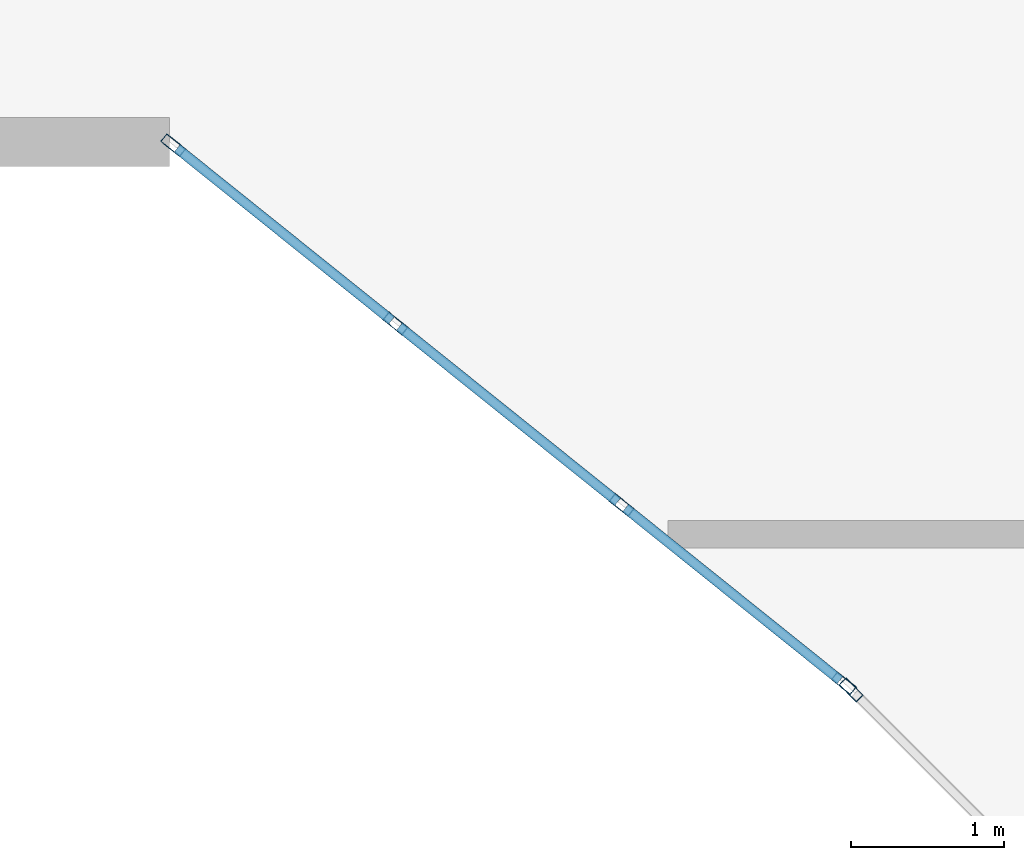
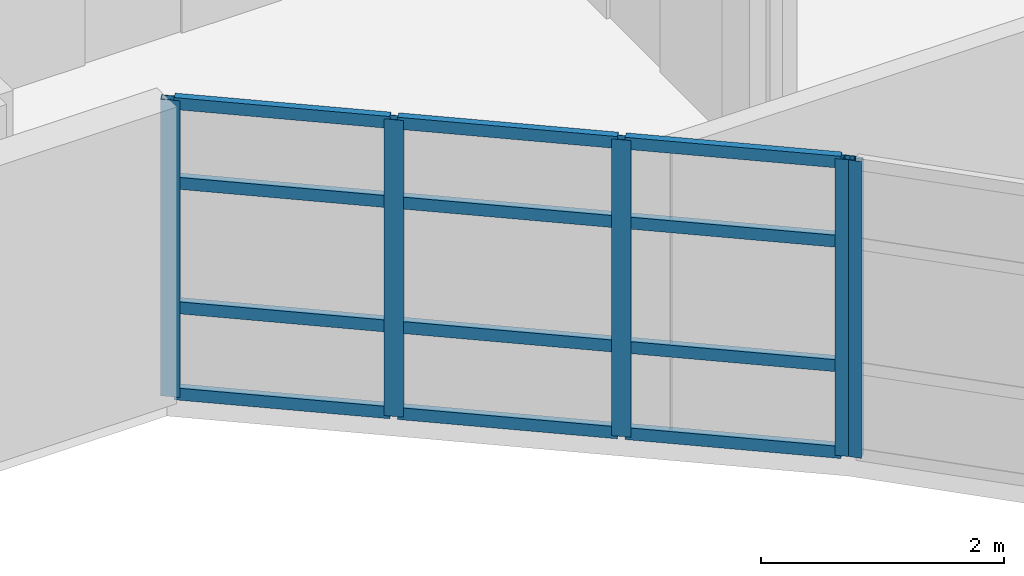
# One storey, part 4 of 14: 17 members, 2 elements without a shape of their own.
"""IFC4 building model written with IfcOpenShell, lengths in metres."""

from ifc_helpers import new_model, si_unit, direction, frame, origin, origin_2d, place, context, subcontext, project, spatial, hollow_rectangle, extrude, material, layer, layer_set, material_profile, profile_set, type_object, element, aggregate, save


model = new_model("IFC4")

# Units and contexts
model_context = context("Model", 3, precision=1e-05, world=origin(), true_north=direction((0.0, 1.0)))
body_context = subcontext(model_context, "Body", "Model", "MODEL_VIEW")
ifc_project = project(units=[si_unit("LENGTHUNIT", "METRE"), si_unit("AREAUNIT", "SQUARE_METRE"), si_unit("VOLUMEUNIT", "CUBIC_METRE"), si_unit("PLANEANGLEUNIT", "RADIAN"), si_unit("MASSUNIT", "GRAM", prefix="KILO")], contexts=[model_context])

# Site, building, storey
site_placement = place(None, origin())
site = spatial("IfcSite", under=ifc_project, at=site_placement, CompositionType="ELEMENT")
building_placement = place(site_placement, origin())
building = spatial("IfcBuilding", under=site, at=building_placement, Name="Keldmere Railside Commons", CompositionType="ELEMENT")
storey_placement = place(building_placement, frame((0.0, 0.0, 42.56005859375)))
storey = spatial("IfcBuildingStorey", under=building, at=storey_placement, Name="L13", CompositionType="ELEMENT", Elevation=42.56005859375)

# Curtain wall, members
ifc_material = material(Name="Thermally Broken Aluminium", Category="aluminium")
ifc_layer_1 = layer(ifc_material, 0.159912109375, Name="Court Chord Wintergarden CW 5400x2850")
ifc_layer_set_1 = layer_set([ifc_layer_1], Name="Thermally Broken Aluminium")
curtain_wall_type_1 = type_object("IfcCurtainWallType", Name="Court Chord Wintergarden CW 5400x2850", PredefinedType="NOTDEFINED", material=ifc_layer_set_1)
curtain_wall_1_placement = place(storey_placement, origin())
curtain_wall_1 = element("IfcCurtainWall", 1, at=curtain_wall_1_placement, inside=storey, type_object=curtain_wall_type_1, Name="CW-13 CW-L13-196", PredefinedType="NOTDEFINED")
ifc_material_profile_1 = material_profile(ifc_material, hollow_rectangle(XDim=0.06494140625, YDim=0.159912109375, WallThickness=0.00390625, at=origin_2d()), Name="ALU-MULL-65x160")
ifc_profile_set_1 = profile_set([ifc_material_profile_1], Name="Thermally Broken Aluminium")
member_type_1 = type_object("IfcMemberType", Name="Unitised Curtain Wall Mullion 65x160", PredefinedType="MULLION", material=ifc_profile_set_1)
member_1_placement = place(storey_placement, frame((160.404541015625, 96.46630859375, 0.0), z_axis=(0.0, 0.0, 1.0), x_axis=(-0.625768080915, -0.780009172323, 0.0)))
member_1 = element("IfcMember", 2, at=member_1_placement, type_object=member_type_1, Name="CW-13 mullion 1", PredefinedType="MULLION", context=body_context, shape_type="SweptSolid", body=[
    extrude(hollow_rectangle(XDim=0.06494140625, YDim=0.159912109375, WallThickness=0.00390625, at=origin_2d()), origin(), (0.0, 0.0, 1.0), 2.97998046875),
])
member_2_placement = place(storey_placement, frame((158.953369140625, 97.630615234375, 0.0), z_axis=(0.0, 0.0, 1.0), x_axis=(-0.625768080915, -0.780009172323, 0.0)))
member_2 = element("IfcMember", 3, at=member_2_placement, type_object=member_type_1, Name="CW-13 mullion 2", PredefinedType="MULLION", context=body_context, shape_type="SweptSolid", body=[
    extrude(hollow_rectangle(XDim=0.06494140625, YDim=0.159912109375, WallThickness=0.00390625, at=origin_2d()), origin(), (0.0, 0.0, 1.0), 2.97998046875),
])
member_3_placement = place(storey_placement, frame((157.4765625, 98.8154296875, 0.0), z_axis=(0.0, 0.0, 1.0), x_axis=(-0.625768080915, -0.780009172323, 0.0)))
member_3 = element("IfcMember", 4, at=member_3_placement, type_object=member_type_1, Name="CW-13 mullion 3", PredefinedType="MULLION", context=body_context, shape_type="SweptSolid", body=[
    extrude(hollow_rectangle(XDim=0.06494140625, YDim=0.159912109375, WallThickness=0.00390625, at=origin_2d()), origin(), (0.0, 0.0, 1.0), 2.97998046875),
])
member_4_placement = place(storey_placement, frame((156.025390625, 99.979736328125, 0.0), z_axis=(0.0, 0.0, 1.0), x_axis=(-0.625768080915, -0.780009172323, 0.0)))
member_4 = element("IfcMember", 5, at=member_4_placement, type_object=member_type_1, Name="CW-13 mullion 4", PredefinedType="MULLION", context=body_context, shape_type="SweptSolid", body=[
    extrude(hollow_rectangle(XDim=0.06494140625, YDim=0.159912109375, WallThickness=0.00390625, at=origin_2d()), origin(), (0.0, 0.0, 1.0), 2.97998046875),
])

# Curtain wall, member
ifc_layer_2 = layer(ifc_material, 0.159912109375, Name="Court Chord Wintergarden CW 4800x2850")
ifc_layer_set_2 = layer_set([ifc_layer_2], Name="Thermally Broken Aluminium")
curtain_wall_type_2 = type_object("IfcCurtainWallType", Name="Court Chord Wintergarden CW 4800x2850", PredefinedType="NOTDEFINED", material=ifc_layer_set_2)
curtain_wall_2_placement = place(storey_placement, origin())
curtain_wall_2 = element("IfcCurtainWall", 6, at=curtain_wall_2_placement, inside=storey, type_object=curtain_wall_type_2, Name="CW-12 CW-L13-197", PredefinedType="NOTDEFINED")
member_5_placement = place(storey_placement, frame((160.452880859375, 96.423095703125, 0.0), z_axis=(0.0, 0.0, 1.0), x_axis=(-0.707106781187, -0.707106781187, 0.0)))
member_5 = element("IfcMember", 7, at=member_5_placement, type_object=member_type_1, Name="CW-12 mullion 4", PredefinedType="MULLION", context=body_context, shape_type="SweptSolid", body=[
    extrude(hollow_rectangle(XDim=0.06494140625, YDim=0.159912109375, WallThickness=0.00390625, at=origin_2d()), origin(), (0.0, 0.0, 1.0), 2.97998046875),
])
aggregate(curtain_wall_2, [member_5])

# Member
ifc_material_profile_2 = material_profile(ifc_material, hollow_rectangle(XDim=0.06494140625, YDim=0.1201171875, WallThickness=0.00390625, at=origin_2d()), Name="ALU-TRAN-65x120")
ifc_profile_set_2 = profile_set([ifc_material_profile_2], Name="Thermally Broken Aluminium")
member_type_2 = type_object("IfcMemberType", Name="Unitised Curtain Wall Transom 65x120", PredefinedType="USERDEFINED", material=ifc_profile_set_2)
member_6_placement = place(storey_placement, frame((160.37939453125, 96.486572265625, 0.032470703125), z_axis=(-0.779979331565, 0.625805275091, 0.0), x_axis=(-0.625805275091, -0.779979331565, 0.0)))
member_6 = element("IfcMember", 8, at=member_6_placement, type_object=member_type_2, Name="CW-13 transom 1.1", ObjectType="TRANSOM", PredefinedType="USERDEFINED", context=body_context, shape_type="SweptSolid", body=[
    extrude(hollow_rectangle(XDim=0.06494140625, YDim=0.1201171875, WallThickness=0.00390625, at=origin_2d()), origin(), (0.0, 0.0, 1.0), 1.795654296875),
])

member_7_placement = place(storey_placement, frame((160.37939453125, 96.486572265625, 0.89990234375), z_axis=(-0.779979331565, 0.625805275091, 0.0), x_axis=(-0.625805275091, -0.779979331565, 0.0)))
member_7 = element("IfcMember", 9, at=member_7_placement, type_object=member_type_2, Name="CW-13 transom 1.2", ObjectType="TRANSOM", PredefinedType="USERDEFINED", context=body_context, shape_type="SweptSolid", body=[
    extrude(hollow_rectangle(XDim=0.06494140625, YDim=0.1201171875, WallThickness=0.00390625, at=origin_2d()), origin(), (0.0, 0.0, 1.0), 1.795654296875),
])

member_8_placement = place(storey_placement, frame((160.37939453125, 96.486572265625, 2.14990234375), z_axis=(-0.779979331565, 0.625805275091, 0.0), x_axis=(-0.625805275091, -0.779979331565, 0.0)))
member_8 = element("IfcMember", 10, at=member_8_placement, type_object=member_type_2, Name="CW-13 transom 1.3", ObjectType="TRANSOM", PredefinedType="USERDEFINED", context=body_context, shape_type="SweptSolid", body=[
    extrude(hollow_rectangle(XDim=0.06494140625, YDim=0.1201171875, WallThickness=0.00390625, at=origin_2d()), origin(), (0.0, 0.0, 1.0), 1.795654296875),
])

member_9_placement = place(storey_placement, frame((160.37939453125, 96.486572265625, 2.947509765625), z_axis=(-0.779979331565, 0.625805275091, 0.0), x_axis=(-0.625805275091, -0.779979331565, 0.0)))
member_9 = element("IfcMember", 11, at=member_9_placement, type_object=member_type_2, Name="CW-13 transom 1.4", ObjectType="TRANSOM", PredefinedType="USERDEFINED", context=body_context, shape_type="SweptSolid", body=[
    extrude(hollow_rectangle(XDim=0.06494140625, YDim=0.1201171875, WallThickness=0.00390625, at=origin_2d()), origin(), (0.0, 0.0, 1.0), 1.795654296875),
])

member_10_placement = place(storey_placement, frame((158.927978515625, 97.651123046875, 0.032470703125), z_axis=(-0.78007338409, 0.625688033635, 0.0), x_axis=(-0.625688033635, -0.78007338409, 0.0)))
member_10 = element("IfcMember", 12, at=member_10_placement, type_object=member_type_2, Name="CW-13 transom 2.1", ObjectType="TRANSOM", PredefinedType="USERDEFINED", context=body_context, shape_type="SweptSolid", body=[
    extrude(hollow_rectangle(XDim=0.06494140625, YDim=0.1201171875, WallThickness=0.00390625, at=origin_2d()), origin(), (0.0, 0.0, 1.0), 1.828125),
])

member_11_placement = place(storey_placement, frame((158.927978515625, 97.651123046875, 0.89990234375), z_axis=(-0.78007338409, 0.625688033635, 0.0), x_axis=(-0.625688033635, -0.78007338409, 0.0)))
member_11 = element("IfcMember", 13, at=member_11_placement, type_object=member_type_2, Name="CW-13 transom 2.2", ObjectType="TRANSOM", PredefinedType="USERDEFINED", context=body_context, shape_type="SweptSolid", body=[
    extrude(hollow_rectangle(XDim=0.06494140625, YDim=0.1201171875, WallThickness=0.00390625, at=origin_2d()), origin(), (0.0, 0.0, 1.0), 1.828125),
])

member_12_placement = place(storey_placement, frame((158.927978515625, 97.651123046875, 2.14990234375), z_axis=(-0.78007338409, 0.625688033635, 0.0), x_axis=(-0.625688033635, -0.78007338409, 0.0)))
member_12 = element("IfcMember", 14, at=member_12_placement, type_object=member_type_2, Name="CW-13 transom 2.3", ObjectType="TRANSOM", PredefinedType="USERDEFINED", context=body_context, shape_type="SweptSolid", body=[
    extrude(hollow_rectangle(XDim=0.06494140625, YDim=0.1201171875, WallThickness=0.00390625, at=origin_2d()), origin(), (0.0, 0.0, 1.0), 1.828125),
])

member_13_placement = place(storey_placement, frame((158.927978515625, 97.651123046875, 2.947509765625), z_axis=(-0.78007338409, 0.625688033635, 0.0), x_axis=(-0.625688033635, -0.78007338409, 0.0)))
member_13 = element("IfcMember", 15, at=member_13_placement, type_object=member_type_2, Name="CW-13 transom 2.4", ObjectType="TRANSOM", PredefinedType="USERDEFINED", context=body_context, shape_type="SweptSolid", body=[
    extrude(hollow_rectangle(XDim=0.06494140625, YDim=0.1201171875, WallThickness=0.00390625, at=origin_2d()), origin(), (0.0, 0.0, 1.0), 1.828125),
])

member_14_placement = place(storey_placement, frame((157.451416015625, 98.835693359375, 0.032470703125), z_axis=(-0.780045694992, 0.625722553313, 0.0), x_axis=(-0.625722553313, -0.780045694992, 0.0)))
member_14 = element("IfcMember", 16, at=member_14_placement, type_object=member_type_2, Name="CW-13 transom 3.1", ObjectType="TRANSOM", PredefinedType="USERDEFINED", context=body_context, shape_type="SweptSolid", body=[
    extrude(hollow_rectangle(XDim=0.06494140625, YDim=0.1201171875, WallThickness=0.00390625, at=origin_2d()), origin(), (0.0, 0.0, 1.0), 1.795654296875),
])

member_15_placement = place(storey_placement, frame((157.451416015625, 98.835693359375, 0.89990234375), z_axis=(-0.780045694992, 0.625722553313, 0.0), x_axis=(-0.625722553313, -0.780045694992, 0.0)))
member_15 = element("IfcMember", 17, at=member_15_placement, type_object=member_type_2, Name="CW-13 transom 3.2", ObjectType="TRANSOM", PredefinedType="USERDEFINED", context=body_context, shape_type="SweptSolid", body=[
    extrude(hollow_rectangle(XDim=0.06494140625, YDim=0.1201171875, WallThickness=0.00390625, at=origin_2d()), origin(), (0.0, 0.0, 1.0), 1.795654296875),
])

member_16_placement = place(storey_placement, frame((157.451416015625, 98.835693359375, 2.14990234375), z_axis=(-0.780045694992, 0.625722553313, 0.0), x_axis=(-0.625722553313, -0.780045694992, 0.0)))
member_16 = element("IfcMember", 18, at=member_16_placement, type_object=member_type_2, Name="CW-13 transom 3.3", ObjectType="TRANSOM", PredefinedType="USERDEFINED", context=body_context, shape_type="SweptSolid", body=[
    extrude(hollow_rectangle(XDim=0.06494140625, YDim=0.1201171875, WallThickness=0.00390625, at=origin_2d()), origin(), (0.0, 0.0, 1.0), 1.795654296875),
])

member_17_placement = place(storey_placement, frame((157.451416015625, 98.835693359375, 2.947509765625), z_axis=(-0.780045694992, 0.625722553313, 0.0), x_axis=(-0.625722553313, -0.780045694992, 0.0)))
member_17 = element("IfcMember", 19, at=member_17_placement, type_object=member_type_2, Name="CW-13 transom 3.4", ObjectType="TRANSOM", PredefinedType="USERDEFINED", context=body_context, shape_type="SweptSolid", body=[
    extrude(hollow_rectangle(XDim=0.06494140625, YDim=0.1201171875, WallThickness=0.00390625, at=origin_2d()), origin(), (0.0, 0.0, 1.0), 1.795654296875),
])

aggregate(curtain_wall_1, [member_1, member_2, member_3, member_4, member_6, member_7, member_8, member_9, member_10, member_11, member_12, member_13, member_14, member_15, member_16, member_17])

save(model, "model.ifc")
